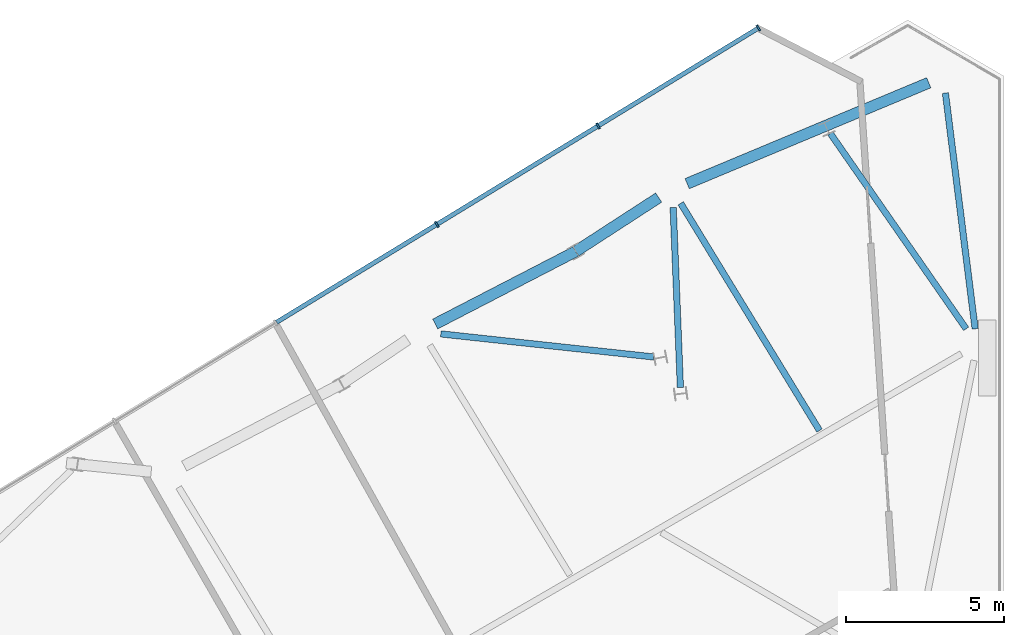
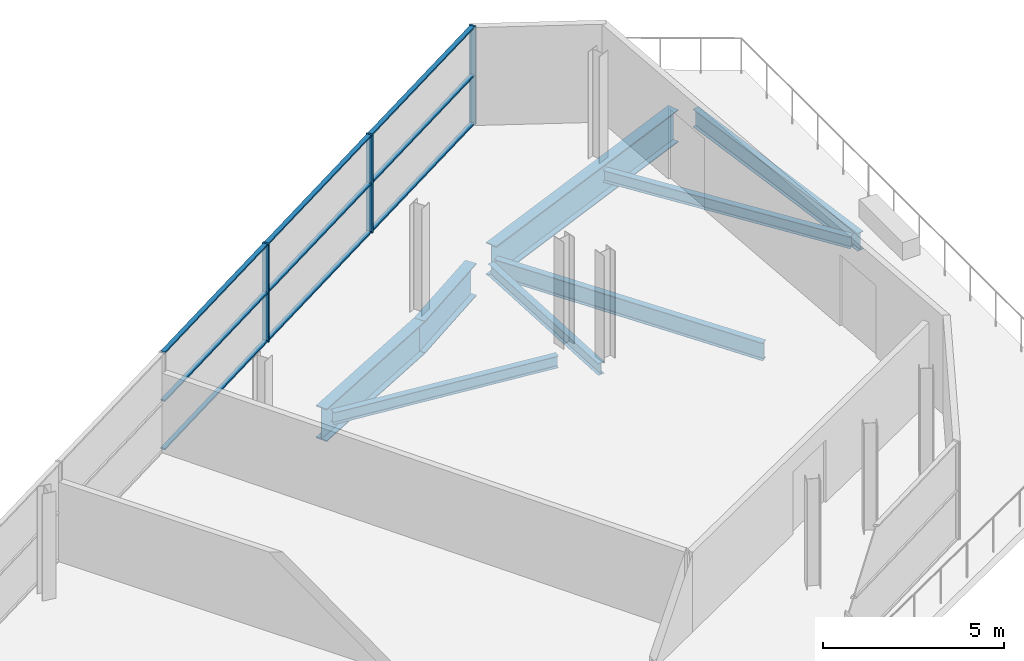
# One storey, part 6 of 10: 12 members, 8 beams, 1 element without a shape of its own.
"""IFC4 building model written with IfcOpenShell, lengths in metres."""

from ifc_helpers import new_model, si_unit, direction, frame, origin, origin_2d, place, context, subcontext, project, spatial, rectangle, i_section, extrude, material, material_profile, profile_set, type_object, element, aggregate, save


model = new_model("IFC4")

# Units and contexts
model_context = context("Model", 3, precision=1e-05, world=origin(), true_north=direction((0.0, 1.0)))
body_context = subcontext(model_context, "Body", "Model", "MODEL_VIEW")
ifc_project = project(units=[si_unit("LENGTHUNIT", "METRE"), si_unit("AREAUNIT", "SQUARE_METRE"), si_unit("VOLUMEUNIT", "CUBIC_METRE"), si_unit("PLANEANGLEUNIT", "RADIAN"), si_unit("MASSUNIT", "GRAM", prefix="KILO")], contexts=[model_context])

# Site, building, storey
site_placement = place(None, origin())
site = spatial("IfcSite", under=ifc_project, at=site_placement, CompositionType="ELEMENT")
building_placement = place(site_placement, origin())
building = spatial("IfcBuilding", under=site, at=building_placement, Name="Binnacle Exchange Tower", CompositionType="ELEMENT")
storey_placement = place(building_placement, frame((0.0, 0.0, 346.89990234375)))
storey = spatial("IfcBuildingStorey", under=building, at=storey_placement, Name="L79", CompositionType="ELEMENT", Elevation=346.89990234375)

# Curtain wall, members
ifc_material_1 = material(Name="Bronze anodised aluminium frame", Category="aluminium")
curtain_wall_type = type_object("IfcCurtainWallType", Name="External wall - curtain wall crown tiers", PredefinedType="NOTDEFINED", material=ifc_material_1)
curtain_wall_placement = place(storey_placement, origin())
curtain_wall = element("IfcCurtainWall", 1, at=curtain_wall_placement, inside=storey, type_object=curtain_wall_type, Name="External wall curtain wall CW5-C103 L79", PredefinedType="NOTDEFINED")
ifc_material_profile_1 = material_profile(ifc_material_1, rectangle(XDim=0.199951171875, YDim=0.06005859375, at=origin_2d()), Name="AL 60x200")
ifc_profile_set_1 = profile_set([ifc_material_profile_1], Name="Bronze anodised aluminium frame")
member_type_1 = type_object("IfcMemberType", Name="CW5 MULLION 60x200", PredefinedType="MULLION", material=ifc_profile_set_1)
member_1_placement = place(storey_placement, frame((-7.77392578125, 70.021728515625, 0.0), z_axis=(0.0, 0.0, 1.0), x_axis=(0.521156922554, -0.853460873194, 0.0)))
member_1 = element("IfcMember", 2, at=member_1_placement, type_object=member_type_1, Name="CW5-C103 mullion 1", PredefinedType="MULLION", context=body_context, shape_type="SweptSolid", body=[
    extrude(rectangle(XDim=0.199951171875, YDim=0.06005859375, at=origin_2d()), origin(), (0.0, 0.0, 1.0), 3.300048828125),
])
member_2_placement = place(storey_placement, frame((-12.85009765625, 66.92236328125, 0.0), z_axis=(0.0, 0.0, 1.0), x_axis=(0.521156922554, -0.853460873194, 0.0)))
member_2 = element("IfcMember", 3, at=member_2_placement, type_object=member_type_1, Name="CW5-C103 mullion 2", PredefinedType="MULLION", context=body_context, shape_type="SweptSolid", body=[
    extrude(rectangle(XDim=0.199951171875, YDim=0.06005859375, at=origin_2d()), origin(), (0.0, 0.0, 1.0), 3.300048828125),
])
member_3_placement = place(storey_placement, frame((-17.95166015625, 63.80712890625, 0.0), z_axis=(0.0, 0.0, 1.0), x_axis=(0.521156922554, -0.853460873194, 0.0)))
member_3 = element("IfcMember", 4, at=member_3_placement, type_object=member_type_1, Name="CW5-C103 mullion 3", PredefinedType="MULLION", context=body_context, shape_type="SweptSolid", body=[
    extrude(rectangle(XDim=0.199951171875, YDim=0.06005859375, at=origin_2d()), origin(), (0.0, 0.0, 1.0), 3.300048828125),
])
ifc_material_profile_2 = material_profile(ifc_material_1, rectangle(XDim=0.139892578125, YDim=0.050048828125, at=origin_2d()), Name="AL 140x50")
ifc_profile_set_2 = profile_set([ifc_material_profile_2], Name="Bronze anodised aluminium frame")
member_type_2 = type_object("IfcMemberType", Name="CW5 TRANSOM 50x140", PredefinedType="USERDEFINED", material=ifc_profile_set_2)
member_4_placement = place(storey_placement, frame((-7.799560546875, 70.006103515625, 0.025146484375), z_axis=(-0.853482677696, -0.521121213225, 0.0), x_axis=(0.521121213225, -0.853482677696, 0.0)))
member_4 = element("IfcMember", 5, at=member_4_placement, type_object=member_type_2, Name="CW5-C103 transom 1.1", ObjectType="TRANSOM", PredefinedType="USERDEFINED", context=body_context, shape_type="SweptSolid", body=[
    extrude(rectangle(XDim=0.139892578125, YDim=0.050048828125, at=origin_2d()), origin(), (0.0, 0.0, 1.0), 5.887451171875),
])
member_5_placement = place(storey_placement, frame((-7.799560546875, 70.006103515625, 1.650146484375), z_axis=(-0.853482677696, -0.521121213225, 0.0), x_axis=(0.521121213225, -0.853482677696, 0.0)))
member_5 = element("IfcMember", 6, at=member_5_placement, type_object=member_type_2, Name="CW5-C103 transom 1.2", ObjectType="TRANSOM", PredefinedType="USERDEFINED", context=body_context, shape_type="SweptSolid", body=[
    extrude(rectangle(XDim=0.139892578125, YDim=0.050048828125, at=origin_2d()), origin(), (0.0, 0.0, 1.0), 5.887451171875),
])
member_6_placement = place(storey_placement, frame((-7.799560546875, 70.006103515625, 3.275146484375), z_axis=(-0.853482677696, -0.521121213225, 0.0), x_axis=(0.521121213225, -0.853482677696, 0.0)))
member_6 = element("IfcMember", 7, at=member_6_placement, type_object=member_type_2, Name="CW5-C103 transom 1.3", ObjectType="TRANSOM", PredefinedType="USERDEFINED", context=body_context, shape_type="SweptSolid", body=[
    extrude(rectangle(XDim=0.139892578125, YDim=0.050048828125, at=origin_2d()), origin(), (0.0, 0.0, 1.0), 5.887451171875),
])
member_7_placement = place(storey_placement, frame((-12.875732421875, 66.906494140625, 0.025146484375), z_axis=(-0.85347351214, -0.521136224105, 0.0), x_axis=(0.521136224105, -0.85347351214, 0.0)))
member_7 = element("IfcMember", 8, at=member_7_placement, type_object=member_type_2, Name="CW5-C103 transom 2.1", ObjectType="TRANSOM", PredefinedType="USERDEFINED", context=body_context, shape_type="SweptSolid", body=[
    extrude(rectangle(XDim=0.139892578125, YDim=0.050048828125, at=origin_2d()), origin(), (0.0, 0.0, 1.0), 5.917236328125),
])
member_8_placement = place(storey_placement, frame((-12.875732421875, 66.906494140625, 1.650146484375), z_axis=(-0.85347351214, -0.521136224105, 0.0), x_axis=(0.521136224105, -0.85347351214, 0.0)))
member_8 = element("IfcMember", 9, at=member_8_placement, type_object=member_type_2, Name="CW5-C103 transom 2.2", ObjectType="TRANSOM", PredefinedType="USERDEFINED", context=body_context, shape_type="SweptSolid", body=[
    extrude(rectangle(XDim=0.139892578125, YDim=0.050048828125, at=origin_2d()), origin(), (0.0, 0.0, 1.0), 5.917236328125),
])
member_9_placement = place(storey_placement, frame((-12.875732421875, 66.906494140625, 3.275146484375), z_axis=(-0.85347351214, -0.521136224105, 0.0), x_axis=(0.521136224105, -0.85347351214, 0.0)))
member_9 = element("IfcMember", 10, at=member_9_placement, type_object=member_type_2, Name="CW5-C103 transom 2.3", ObjectType="TRANSOM", PredefinedType="USERDEFINED", context=body_context, shape_type="SweptSolid", body=[
    extrude(rectangle(XDim=0.139892578125, YDim=0.050048828125, at=origin_2d()), origin(), (0.0, 0.0, 1.0), 5.917236328125),
])
member_10_placement = place(storey_placement, frame((-17.977294921875, 63.79150390625, 0.025146484375), z_axis=(-0.853455161213, -0.521166276537, 0.0), x_axis=(0.521166276537, -0.853455161213, 0.0)))
member_10 = element("IfcMember", 11, at=member_10_placement, type_object=member_type_2, Name="CW5-C103 transom 3.1", ObjectType="TRANSOM", PredefinedType="USERDEFINED", context=body_context, shape_type="SweptSolid", body=[
    extrude(rectangle(XDim=0.139892578125, YDim=0.050048828125, at=origin_2d()), origin(), (0.0, 0.0, 1.0), 5.91748046875),
])
member_11_placement = place(storey_placement, frame((-17.977294921875, 63.79150390625, 1.650146484375), z_axis=(-0.853455161213, -0.521166276537, 0.0), x_axis=(0.521166276537, -0.853455161213, 0.0)))
member_11 = element("IfcMember", 12, at=member_11_placement, type_object=member_type_2, Name="CW5-C103 transom 3.2", ObjectType="TRANSOM", PredefinedType="USERDEFINED", context=body_context, shape_type="SweptSolid", body=[
    extrude(rectangle(XDim=0.139892578125, YDim=0.050048828125, at=origin_2d()), origin(), (0.0, 0.0, 1.0), 5.91748046875),
])
member_12_placement = place(storey_placement, frame((-17.977294921875, 63.79150390625, 3.275146484375), z_axis=(-0.853455161213, -0.521166276537, 0.0), x_axis=(0.521166276537, -0.853455161213, 0.0)))
member_12 = element("IfcMember", 13, at=member_12_placement, type_object=member_type_2, Name="CW5-C103 transom 3.3", ObjectType="TRANSOM", PredefinedType="USERDEFINED", context=body_context, shape_type="SweptSolid", body=[
    extrude(rectangle(XDim=0.139892578125, YDim=0.050048828125, at=origin_2d()), origin(), (0.0, 0.0, 1.0), 5.91748046875),
])
aggregate(curtain_wall, [member_1, member_2, member_3, member_4, member_5, member_6, member_7, member_8, member_9, member_10, member_11, member_12])

# Beams
ifc_material_2 = material(Name="Steel S355 (SHN355)", Category="steel")
ifc_material_profile_3 = material_profile(ifc_material_2, i_section(OverallWidth=0.199951171875, OverallDepth=0.60009765625, WebThickness=0.010986328125, FlangeThickness=0.01708984375, FilletRadius=0.02197265625, at=origin_2d()), Name="H 600x200x11x17")
ifc_profile_set_3 = profile_set([ifc_material_profile_3], Name="Steel S355 (SHN355)")
beam_type_1 = type_object("IfcBeamType", Name="Edge girder H 600x200x11x17 Steel S355 (SHN355)", PredefinedType="SPANDREL", material=ifc_profile_set_3)
beam_1_placement = place(storey_placement, frame((-1.85498046875, 67.965576171875, -0.599853515625), z_axis=(0.125172722987, -0.992134965325, 0.0), x_axis=(0.992134965325, 0.125172722987, 0.0)))
element("IfcBeam", 14, at=beam_1_placement, inside=storey, type_object=beam_type_1, Name="S:BM:edge:L79:021", PredefinedType="SPANDREL", context=body_context, shape_type="SweptSolid", body=[
    extrude(i_section(OverallWidth=0.199951171875, OverallDepth=0.60009765625, WebThickness=0.010986328125, FlangeThickness=0.01708984375, FilletRadius=0.02197265625, at=origin_2d()), origin(), (0.0, 0.0, 1.0), 7.524658203125),
])
ifc_material_profile_4 = material_profile(ifc_material_2, i_section(OverallWidth=0.199951171875, OverallDepth=0.39990234375, WebThickness=0.008056640625, FlangeThickness=0.012939453125, FilletRadius=0.01611328125, at=origin_2d()), Name="H 400x200x8x13")
ifc_profile_set_4 = profile_set([ifc_material_profile_4], Name="Steel S355 (SHN355)")
beam_type_2 = type_object("IfcBeamType", Name="Floor beam H 400x200x8x13 Steel S355 (SHN355)", PredefinedType="BEAM", material=ifc_profile_set_4)
beam_2_placement = place(storey_placement, frame((-17.829345703125, 60.339599609375, -0.5), z_axis=(0.994183095539, -0.107703168683, 0.0), x_axis=(0.107703168683, 0.994183095539, 0.0)))
element("IfcBeam", 15, at=beam_2_placement, inside=storey, type_object=beam_type_2, Name="S:BM:cross:L79:031", PredefinedType="BEAM", context=body_context, shape_type="SweptSolid", body=[
    extrude(i_section(OverallWidth=0.199951171875, OverallDepth=0.39990234375, WebThickness=0.008056640625, FlangeThickness=0.012939453125, FilletRadius=0.01611328125, at=origin_2d()), origin(), (0.0, 0.0, 1.0), 6.777587890625),
])
beam_3_placement = place(storey_placement, frame((-10.47265625, 64.340087890625, -0.5), z_axis=(0.040057006615, -0.999197396024, 0.0), x_axis=(0.999197396024, 0.040057006615, 0.0)))
element("IfcBeam", 16, at=beam_3_placement, inside=storey, type_object=beam_type_2, Name="S:BM:cross:L79:036", PredefinedType="BEAM", context=body_context, shape_type="SweptSolid", body=[
    extrude(i_section(OverallWidth=0.199951171875, OverallDepth=0.39990234375, WebThickness=0.008056640625, FlangeThickness=0.012939453125, FilletRadius=0.01611328125, at=origin_2d()), origin(), (0.0, 0.0, 1.0), 5.69873046875),
])
beam_4_placement = place(storey_placement, frame((-1.197509765625, 60.5, -0.5), z_axis=(-0.570774792926, 0.821106653097, 0.0), x_axis=(-0.821106653097, -0.570774792926, 0.0)))
element("IfcBeam", 17, at=beam_4_placement, inside=storey, type_object=beam_type_2, Name="S:BM:cross:L79:041", PredefinedType="BEAM", context=body_context, shape_type="SweptSolid", body=[
    extrude(i_section(OverallWidth=0.199951171875, OverallDepth=0.39990234375, WebThickness=0.008056640625, FlangeThickness=0.012939453125, FilletRadius=0.01611328125, at=origin_2d()), origin(), (0.0, 0.0, 1.0), 7.531982421875),
])
ifc_material_profile_5 = material_profile(ifc_material_2, i_section(OverallWidth=0.199951171875, OverallDepth=0.60009765625, WebThickness=0.010986328125, FlangeThickness=0.01708984375, FilletRadius=0.02197265625, at=origin_2d()), Name="H 600x200x11x17")
ifc_profile_set_5 = profile_set([ifc_material_profile_5], Name="Steel S355 (SHN355)")
beam_type_3 = type_object("IfcBeamType", Name="Floor beam H 600x200x11x17 Steel S355 (SHN355)", PredefinedType="BEAM", material=ifc_profile_set_5)
beam_5_placement = place(storey_placement, frame((-10.234375, 64.474609375, -0.599853515625), z_axis=(0.521162951865, -0.85345719143, 0.0), x_axis=(0.85345719143, 0.521162951865, 0.0)))
element("IfcBeam", 18, at=beam_5_placement, inside=storey, type_object=beam_type_3, Name="S:BM:cross:L79:037", PredefinedType="BEAM", context=body_context, shape_type="SweptSolid", body=[
    extrude(i_section(OverallWidth=0.199951171875, OverallDepth=0.60009765625, WebThickness=0.010986328125, FlangeThickness=0.01708984375, FilletRadius=0.02197265625, at=origin_2d()), origin(), (0.0, 0.0, 1.0), 8.429443359375),
])
ifc_material_3 = material(Name="Steel S355 (SM355)", Category="steel")
ifc_material_profile_6 = material_profile(ifc_material_3, i_section(OverallWidth=0.35009765625, OverallDepth=1.10009765625, WebThickness=0.02001953125, FlangeThickness=0.035888671875, at=origin_2d()), Name="BH 1100x350x20x36")
ifc_profile_set_6 = profile_set([ifc_material_profile_6], Name="Steel S355 (SM355)")
beam_type_4 = type_object("IfcBeamType", Name="Transfer girder BH 1100x350x20x36 Steel S355 (SM355)", PredefinedType="BEAM", material=ifc_profile_set_6)
beam_6_placement = place(storey_placement, frame((-13.55615234375, 62.95166015625, -0.849853515625), z_axis=(-0.888391782897, -0.459086092232, 0.0), x_axis=(0.459086092232, -0.888391782897, 0.0)))
element("IfcBeam", 19, at=beam_6_placement, inside=storey, type_object=beam_type_4, Name="S:BM:transfer:L79:006", PredefinedType="BEAM", context=body_context, shape_type="SweptSolid", body=[
    extrude(i_section(OverallWidth=0.35009765625, OverallDepth=1.10009765625, WebThickness=0.02001953125, FlangeThickness=0.035888671875, at=origin_2d()), origin(), (0.0, 0.0, 1.0), 5.009033203125),
])
beam_7_placement = place(storey_placement, frame((-10.930419921875, 64.655517578125, -0.849853515625), z_axis=(-0.83886214221, -0.544343922871, 0.0), x_axis=(0.544343922871, -0.83886214221, 0.0)))
element("IfcBeam", 20, at=beam_7_placement, inside=storey, type_object=beam_type_4, Name="S:BM:transfer:L79:007", PredefinedType="BEAM", context=body_context, shape_type="SweptSolid", body=[
    extrude(i_section(OverallWidth=0.35009765625, OverallDepth=1.10009765625, WebThickness=0.02001953125, FlangeThickness=0.035888671875, at=origin_2d()), origin(), (0.0, 0.0, 1.0), 3.130126953125),
])
beam_8_placement = place(storey_placement, frame((-2.381591796875, 68.29052734375, -0.849853515625), z_axis=(-0.922743712975, -0.385414115161, 0.0), x_axis=(0.385414115161, -0.922743712975, 0.0)))
element("IfcBeam", 21, at=beam_8_placement, inside=storey, type_object=beam_type_4, Name="S:BM:transfer:L79:008", PredefinedType="BEAM", context=body_context, shape_type="SweptSolid", body=[
    extrude(i_section(OverallWidth=0.35009765625, OverallDepth=1.10009765625, WebThickness=0.02001953125, FlangeThickness=0.035888671875, at=origin_2d()), origin(), (0.0, 0.0, 1.0), 8.289306640625),
])

save(model, "model.ifc")
